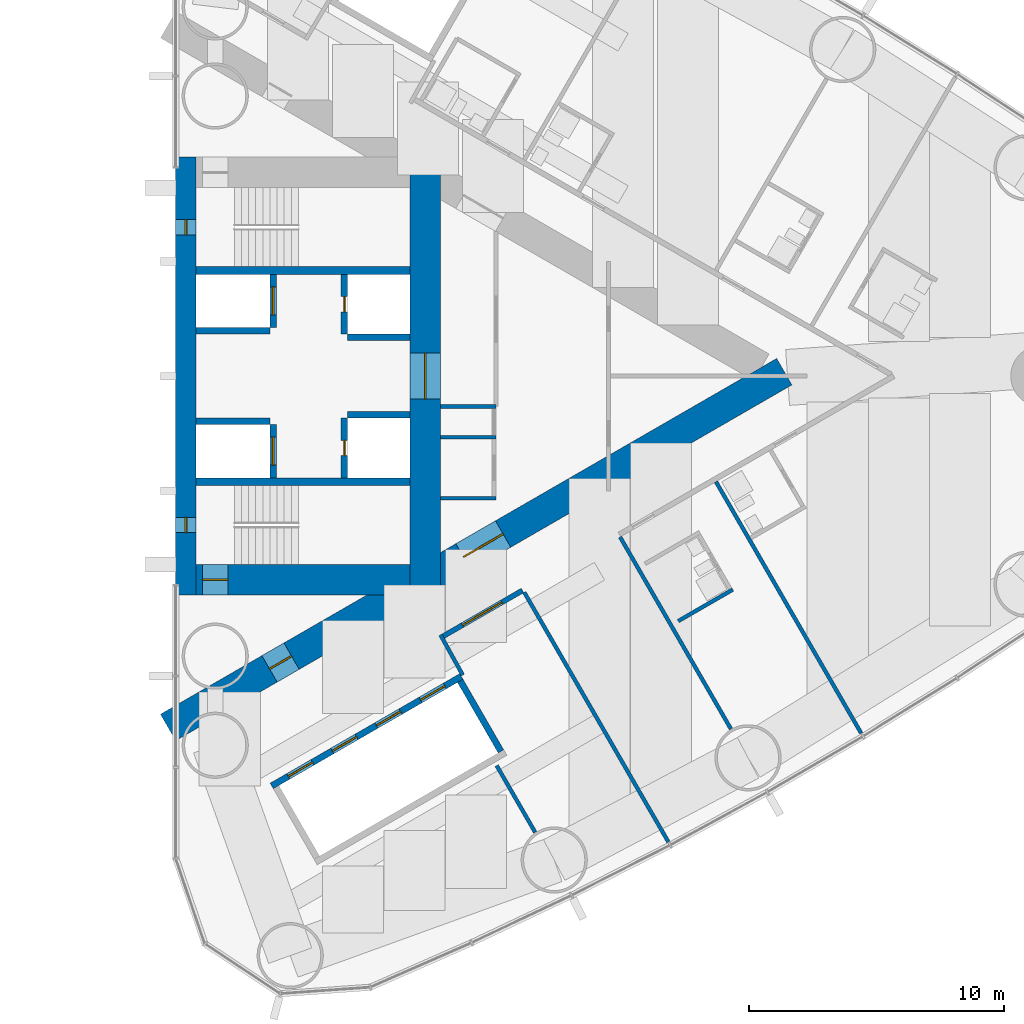
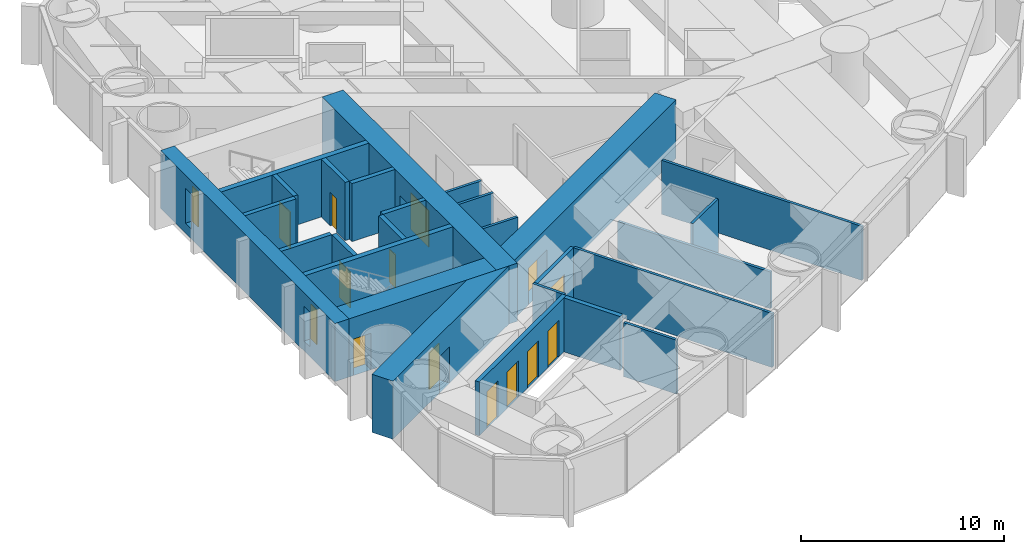
# One storey, part 14 of 19: 26 walls, 13 doors, 2 windows, 15 openings.
"""IFC4 building model written with IfcOpenShell, lengths in metres."""

from ifc_helpers import new_model, si_unit, direction, frame, frame_2d, origin, place, context, subcontext, project, spatial, rectangle, extrude, material, layer, layer_set, type_object, element, fill, save


model = new_model("IFC4")

# Units and contexts
model_context = context("Model", 3, precision=1e-05, world=origin(), true_north=direction((0.0, 1.0)))
body_context = subcontext(model_context, "Body", "Model", "MODEL_VIEW")
ifc_project = project(units=[si_unit("LENGTHUNIT", "METRE"), si_unit("AREAUNIT", "SQUARE_METRE"), si_unit("VOLUMEUNIT", "CUBIC_METRE"), si_unit("PLANEANGLEUNIT", "RADIAN"), si_unit("MASSUNIT", "GRAM", prefix="KILO")], contexts=[model_context])

# Site, building, storey
site_placement = place(None, origin())
site = spatial("IfcSite", under=ifc_project, at=site_placement, CompositionType="ELEMENT")
building_placement = place(site_placement, origin())
building = spatial("IfcBuilding", under=site, at=building_placement, Name="Lancet Gate Hotel", CompositionType="ELEMENT")
storey_placement = place(building_placement, frame((0.0, 0.0, 122.10009765625)))
storey = spatial("IfcBuildingStorey", under=building, at=storey_placement, Name="L32", CompositionType="ELEMENT", Elevation=122.10009765625)

# Wall
ifc_material_1 = material(Name="Moisture resistant board partition")
ifc_layer_1 = layer(ifc_material_1, 0.14990234375)
ifc_layer_set_1 = layer_set([ifc_layer_1], Name="Bathroom wall 150")
wall_type_1 = type_object("IfcWallType", Name="Bathroom wall 150", PredefinedType="PARTITIONING", material=ifc_layer_set_1)
wall_1_placement = place(storey_placement, frame((47.235107421875, -9.622802734375, 0.0), z_axis=(0.0, 0.0, 1.0), x_axis=(0.866006523861, 0.500032699561, 0.0)))
element("IfcWall", 1, at=wall_1_placement, inside=storey, type_object=wall_type_1, Name="T2 bathroom wall 150 L32", PredefinedType="PARTITIONING", context=body_context, shape_type="SweptSolid", body=[
    extrude(rectangle(XDim=2.474853515625, YDim=0.14990234375, at=frame_2d((1.2373046875, 0.0))), origin(), (0.0, 0.0, 1.0), 3.25),
])

# Wall, openings, doors
ifc_material_2 = material(Name="Concrete C70/85", Category="concrete")
ifc_layer_2 = layer(ifc_material_2, 1.199951171875)
ifc_layer_set_2 = layer_set([ifc_layer_2], Name="Buttress wall 1200")
wall_type_2 = type_object("IfcWallType", Name="Buttress wall 1200", PredefinedType="SHEAR", material=ifc_layer_set_2)
wall_2_placement = place(storey_placement, frame((27.199951171875, -13.800048828125, 0.0), z_axis=(0.0, 0.0, 1.0), x_axis=(0.866027159892, 0.499996958321, 0.0)))
wall_2 = element("IfcWall", 2, at=wall_2_placement, inside=storey, type_object=wall_type_2, Name="T2 buttress wall S L32", PredefinedType="SHEAR", context=body_context, shape_type="SweptSolid", body=[
    extrude(rectangle(XDim=27.946533203125, YDim=1.199951171875, at=frame_2d((13.97314453125, 0.0))), origin(), (0.0, 0.0, 1.0), 3.5),
])
opening_1_placement = place(wall_2_placement, frame((4.60009765625, 0.0, 0.0)))
opening_1 = element("IfcOpeningElement", 3, at=opening_1_placement, cuts=wall_2, Name="Opening T2-L32-LS", PredefinedType="OPENING", context=body_context, shape_type="SweptSolid", body=[
    extrude(rectangle(XDim=1.0, YDim=2.199951171875, at=frame_2d((0.5, 1.10009765625))), frame((0.0, 0.60986328125, 0.0), z_axis=(0.0, -1.0, 0.0), x_axis=(1.0, 0.0, 0.0)), (0.0, 0.0, 1.0), 1.219970703125),
])
opening_2_placement = place(wall_2_placement, frame((13.39453125, 0.0, 0.0)))
opening_2 = element("IfcOpeningElement", 4, at=opening_2_placement, cuts=wall_2, Name="Opening T2-L32-LHS", PredefinedType="OPENING", context=body_context, shape_type="SweptSolid", body=[
    extrude(rectangle(XDim=1.800048828125, YDim=2.199951171875, at=frame_2d((0.89990234375, 1.10009765625))), frame((0.0, 0.60986328125, 0.0), z_axis=(0.0, -1.0, 0.0), x_axis=(1.0, 0.0, 0.0)), (0.0, 0.0, 1.0), 1.219970703125),
])
ifc_material_3 = material(Name="Timber door set", Category="wood")
door_type_1 = type_object("IfcDoorType", Name="Lobby double door 1800", OperationType="DOUBLE_DOOR_SINGLE_SWING", PredefinedType="DOOR", material=ifc_material_3)
door_1_placement = place(opening_2_placement, origin())
door_1 = element("IfcDoor", 5, at=door_1_placement, inside=storey, type_object=door_type_1, Name="T2-L32-LHS", OperationType="DOUBLE_DOOR_SINGLE_SWING", OverallHeight=2.199951171875, OverallWidth=1.800048828125, PredefinedType="DOOR", context=body_context, shape_type="SweptSolid", body=[
    extrude(rectangle(XDim=1.800048828125, YDim=2.199951171875, at=frame_2d((0.89990234375, 1.10009765625))), frame((0.0, 0.02490234375, 0.0), z_axis=(0.0, -1.0, 0.0), x_axis=(1.0, 0.0, 0.0)), (0.0, 0.0, 1.0), 0.050048828125),
])
fill(opening_2, door_1)
ifc_material_4 = material(Name="Timber door set", Category="wood")
door_type_2 = type_object("IfcDoorType", Name="Stair lobby door 1000", OperationType="SINGLE_SWING_LEFT", PredefinedType="DOOR", material=ifc_material_4)
door_2_placement = place(opening_1_placement, origin())
door_2 = element("IfcDoor", 6, at=door_2_placement, inside=storey, type_object=door_type_2, Name="T2-L32-LS", OperationType="SINGLE_SWING_LEFT", OverallHeight=2.199951171875, OverallWidth=1.0, PredefinedType="DOOR", context=body_context, shape_type="SweptSolid", body=[
    extrude(rectangle(XDim=1.0, YDim=2.199951171875, at=frame_2d((0.5, 1.10009765625))), frame((0.0, 0.02490234375, 0.0), z_axis=(0.0, -1.0, 0.0), x_axis=(1.0, 0.0, 0.0)), (0.0, 0.0, 1.0), 0.050048828125),
])
fill(opening_1, door_2)

# Wall, opening, door
ifc_material_5 = material(Name="Concrete C70/85", Category="concrete")
ifc_layer_3 = layer(ifc_material_5, 1.199951171875)
ifc_layer_set_3 = layer_set([ifc_layer_3], Name="Core wall 1200")
wall_type_3 = type_object("IfcWallType", Name="Core wall 1200", PredefinedType="SHEAR", material=ifc_layer_set_3)
wall_3_placement = place(storey_placement, frame((37.300048828125, -8.60009765625, 0.0), z_axis=(0.0, 0.0, 1.0), x_axis=(0.0, 1.0, 0.0)))
wall_3 = element("IfcWall", 7, at=wall_3_placement, inside=storey, type_object=wall_type_3, Name="T2 core wall back L32", PredefinedType="SHEAR", context=body_context, shape_type="SweptSolid", body=[
    extrude(rectangle(XDim=17.2001953125, YDim=1.199951171875, at=frame_2d((8.60009765625, 0.0))), origin(), (0.0, 0.0, 1.0), 3.5),
])
opening_3_placement = place(wall_3_placement, frame((7.699951171875, 0.0, 0.0)))
opening_3 = element("IfcOpeningElement", 8, at=opening_3_placement, cuts=wall_3, Name="Opening T2-L32-LL", PredefinedType="OPENING", context=body_context, shape_type="SweptSolid", body=[
    extrude(rectangle(XDim=1.800048828125, YDim=2.199951171875, at=frame_2d((0.89990234375, 1.10009765625))), frame((0.0, 0.60986328125, 0.0), z_axis=(0.0, -1.0, 0.0), x_axis=(1.0, 0.0, 0.0)), (0.0, 0.0, 1.0), 1.219970703125),
])
door_3_placement = place(opening_3_placement, origin())
door_3 = element("IfcDoor", 9, at=door_3_placement, inside=storey, type_object=door_type_1, Name="T2-L32-LL", OperationType="DOUBLE_DOOR_SINGLE_SWING", OverallHeight=2.199951171875, OverallWidth=1.800048828125, PredefinedType="DOOR", context=body_context, shape_type="SweptSolid", body=[
    extrude(rectangle(XDim=1.800048828125, YDim=2.199951171875, at=frame_2d((0.89990234375, 1.10009765625))), frame((0.0, 0.02490234375, 0.0), z_axis=(0.0, -1.0, 0.0), x_axis=(1.0, 0.0, 0.0)), (0.0, 0.0, 1.0), 0.050048828125),
])
fill(opening_3, door_3)

wall_4_placement = place(storey_placement, frame((28.300048828125, -8.0, 0.0), z_axis=(0.0, 0.0, 1.0), x_axis=(1.0, 0.0, 0.0)))
wall_4 = element("IfcWall", 10, at=wall_4_placement, inside=storey, type_object=wall_type_3, Name="T2 core wall side-S L32", PredefinedType="SHEAR", context=body_context, shape_type="SweptSolid", body=[
    extrude(rectangle(XDim=8.39990234375, YDim=1.199951171875, at=frame_2d((4.199951171875, 0.0))), origin(), (0.0, 0.0, 1.0), 3.5),
])
opening_4_placement = place(wall_4_placement, frame((0.25, 0.0, 0.0)))
opening_4 = element("IfcOpeningElement", 11, at=opening_4_placement, cuts=wall_4, Name="Opening T2-L32-ST1", PredefinedType="OPENING", context=body_context, shape_type="SweptSolid", body=[
    extrude(rectangle(XDim=1.0, YDim=2.199951171875, at=frame_2d((0.5, 1.10009765625))), frame((0.0, 0.60986328125, 0.0), z_axis=(0.0, -1.0, 0.0), x_axis=(1.0, 0.0, 0.0)), (0.0, 0.0, 1.0), 1.219970703125),
])
ifc_material_6 = material(Name="Timber door set", Category="wood")
door_type_3 = type_object("IfcDoorType", Name="Stair door 1000", OperationType="SINGLE_SWING_RIGHT", PredefinedType="DOOR", material=ifc_material_6)
door_4_placement = place(opening_4_placement, origin())
door_4 = element("IfcDoor", 12, at=door_4_placement, inside=storey, type_object=door_type_3, Name="T2-L32-ST1", OperationType="SINGLE_SWING_RIGHT", OverallHeight=2.199951171875, OverallWidth=1.0, PredefinedType="DOOR", context=body_context, shape_type="SweptSolid", body=[
    extrude(rectangle(XDim=1.0, YDim=2.199951171875, at=frame_2d((0.5, 1.10009765625))), frame((0.0, 0.02490234375, 0.0), z_axis=(0.0, -1.0, 0.0), x_axis=(1.0, 0.0, 0.0)), (0.0, 0.0, 1.0), 0.050048828125),
])
fill(opening_4, door_4)

# Wall, openings, windows
ifc_material_7 = material(Name="Concrete C70/85", Category="concrete")
ifc_layer_4 = layer(ifc_material_7, 0.800048828125)
ifc_layer_set_4 = layer_set([ifc_layer_4], Name="Core wall 800")
wall_type_4 = type_object("IfcWallType", Name="Core wall 800", PredefinedType="SHEAR", material=ifc_layer_set_4)
wall_5_placement = place(storey_placement, frame((27.89990234375, -8.60009765625, 0.0), z_axis=(0.0, 0.0, 1.0), x_axis=(0.0, 1.0, 0.0)))
wall_5 = element("IfcWall", 13, at=wall_5_placement, inside=storey, type_object=wall_type_4, Name="T2 core wall front L32", PredefinedType="SHEAR", context=body_context, shape_type="SweptSolid", body=[
    extrude(rectangle(XDim=17.2001953125, YDim=0.800048828125, at=frame_2d((8.60009765625, 0.0))), origin(), (0.0, 0.0, 1.0), 3.5),
])
opening_5_placement = place(wall_5_placement, frame((2.449951171875, 0.0, 0.60009765625)))
opening_5 = element("IfcOpeningElement", 14, at=opening_5_placement, cuts=wall_5, Name="Opening LW1", PredefinedType="OPENING", context=body_context, shape_type="SweptSolid", body=[
    extrude(rectangle(XDim=0.60009765625, YDim=2.10009765625, at=frame_2d((0.300048828125, 1.050048828125))), frame((0.0, 0.409912109375, 0.0), z_axis=(0.0, -1.0, 0.0), x_axis=(1.0, 0.0, 0.0)), (0.0, 0.0, 1.0), 0.820068359375),
])
opening_6_placement = place(wall_5_placement, frame((14.14990234375, 0.0, 0.60009765625)))
opening_6 = element("IfcOpeningElement", 15, at=opening_6_placement, cuts=wall_5, Name="Opening LW1", PredefinedType="OPENING", context=body_context, shape_type="SweptSolid", body=[
    extrude(rectangle(XDim=0.60009765625, YDim=2.10009765625, at=frame_2d((0.300048828125, 1.050048828125))), frame((0.0, 0.409912109375, 0.0), z_axis=(0.0, -1.0, 0.0), x_axis=(1.0, 0.0, 0.0)), (0.0, 0.0, 1.0), 0.820068359375),
])
ifc_material_8 = material(Name="Fire-resisting glazed steel window", Category="steel")
window_type = type_object("IfcWindowType", Name="Lancet window 600x2100", PartitioningType="SINGLE_PANEL", PredefinedType="WINDOW", material=ifc_material_8)
window_1_placement = place(opening_5_placement, origin())
window_1 = element("IfcWindow", 16, at=window_1_placement, inside=storey, type_object=window_type, Name="T2 stair window S L32", OverallHeight=2.10009765625, OverallWidth=0.60009765625, PartitioningType="SINGLE_PANEL", PredefinedType="WINDOW", context=body_context, shape_type="SweptSolid", body=[
    extrude(rectangle(XDim=0.60009765625, YDim=2.10009765625, at=frame_2d((0.300048828125, 1.050048828125))), frame((0.0, 0.030029296875, 0.0), z_axis=(0.0, -1.0, 0.0), x_axis=(1.0, 0.0, 0.0)), (0.0, 0.0, 1.0), 0.06005859375),
])
fill(opening_5, window_1)
window_2_placement = place(opening_6_placement, origin())
window_2 = element("IfcWindow", 17, at=window_2_placement, inside=storey, type_object=window_type, Name="T2 stair window N L32", OverallHeight=2.10009765625, OverallWidth=0.60009765625, PartitioningType="SINGLE_PANEL", PredefinedType="WINDOW", context=body_context, shape_type="SweptSolid", body=[
    extrude(rectangle(XDim=0.60009765625, YDim=2.10009765625, at=frame_2d((0.300048828125, 1.050048828125))), frame((0.0, 0.030029296875, 0.0), z_axis=(0.0, -1.0, 0.0), x_axis=(1.0, 0.0, 0.0)), (0.0, 0.0, 1.0), 0.06005859375),
])
fill(opening_6, window_2)

# Wall, opening, door
ifc_material_9 = material(Name="Gypsum board partition")
ifc_layer_5 = layer(ifc_material_9, 0.199951171875)
ifc_layer_set_5 = layer_set([ifc_layer_5], Name="Corridor wall 200")
wall_type_5 = type_object("IfcWallType", Name="Corridor wall 200", PredefinedType="PARTITIONING", material=ifc_layer_set_5)
wall_6_placement = place(storey_placement, frame((37.9599609375, -10.243408203125, 0.0), z_axis=(0.0, 0.0, 1.0), x_axis=(0.866042886279, 0.499969718208, 0.0)))
wall_6 = element("IfcWall", 18, at=wall_6_placement, inside=storey, type_object=wall_type_5, Name="T2 corridor wall 200 L32", PredefinedType="PARTITIONING", context=body_context, shape_type="SweptSolid", body=[
    extrude(rectangle(XDim=3.646728515625, YDim=0.199951171875, at=frame_2d((1.8232421875, 0.0))), origin(), (0.0, 0.0, 1.0), 3.25),
])
opening_7_placement = place(wall_6_placement, frame((0.92333984375, 0.0, 0.0)))
opening_7 = element("IfcOpeningElement", 19, at=opening_7_placement, cuts=wall_6, Name="Opening T2-L32-LO2", PredefinedType="OPENING", context=body_context, shape_type="SweptSolid", body=[
    extrude(rectangle(XDim=1.800048828125, YDim=2.199951171875, at=frame_2d((0.89990234375, 1.10009765625))), frame((0.0, 0.10986328125, 0.0), z_axis=(0.0, -1.0, 0.0), x_axis=(1.0, 0.0, 0.0)), (0.0, 0.0, 1.0), 0.219970703125),
])
ifc_material_10 = material(Name="Timber door set", Category="wood")
door_type_4 = type_object("IfcDoorType", Name="Double door 1800", OperationType="DOUBLE_DOOR_SINGLE_SWING", PredefinedType="DOOR", material=ifc_material_10)
door_5_placement = place(opening_7_placement, origin())
door_5 = element("IfcDoor", 20, at=door_5_placement, inside=storey, type_object=door_type_4, Name="T2-L32-LO2", OperationType="DOUBLE_DOOR_SINGLE_SWING", OverallHeight=2.199951171875, OverallWidth=1.800048828125, PredefinedType="DOOR", context=body_context, shape_type="SweptSolid", body=[
    extrude(rectangle(XDim=1.800048828125, YDim=2.199951171875, at=frame_2d((0.89990234375, 1.10009765625))), frame((0.0, 0.02490234375, 0.0), z_axis=(0.0, -1.0, 0.0), x_axis=(1.0, 0.0, 0.0)), (0.0, 0.0, 1.0), 0.050048828125),
])
fill(opening_7, door_5)

# Wall, openings, doors
ifc_material_11 = material(Name="Gypsum board partition")
ifc_layer_6 = layer(ifc_material_11, 0.25)
ifc_layer_set_6 = layer_set([ifc_layer_6], Name="Lift shaft partition 250")
wall_type_6 = type_object("IfcWallType", Name="Lift shaft partition 250", PredefinedType="PARTITIONING", material=ifc_layer_set_6)
wall_7_placement = place(storey_placement, frame((31.2705078125, -16.09716796875, 0.0), z_axis=(0.0, 0.0, 1.0), x_axis=(0.86604045752, 0.499973925258, 0.0)))
wall_7 = element("IfcWall", 21, at=wall_7_placement, inside=storey, type_object=wall_type_6, Name="T2 lift shaft wall LR L32", PredefinedType="PARTITIONING", context=body_context, shape_type="SweptSolid", body=[
    extrude(rectangle(XDim=8.60009765625, YDim=0.25, at=frame_2d((4.300048828125, 0.0))), origin(), (0.0, 0.0, 1.0), 3.25),
])
opening_8_placement = place(wall_7_placement, frame((0.75, 0.0, 0.0)))
opening_8 = element("IfcOpeningElement", 22, at=opening_8_placement, cuts=wall_7, Name="Opening T2-LR1-L32", PredefinedType="OPENING", context=body_context, shape_type="SweptSolid", body=[
    extrude(rectangle(XDim=1.10009765625, YDim=2.199951171875, at=frame_2d((0.550048828125, 1.10009765625))), frame((0.0, 0.135009765625, 0.0), z_axis=(0.0, -1.0, 0.0), x_axis=(1.0, 0.0, 0.0)), (0.0, 0.0, 1.0), 0.27001953125),
])
opening_9_placement = place(wall_7_placement, frame((2.75, 0.0, 0.0)))
opening_9 = element("IfcOpeningElement", 23, at=opening_9_placement, cuts=wall_7, Name="Opening T2-LR2-L32", PredefinedType="OPENING", context=body_context, shape_type="SweptSolid", body=[
    extrude(rectangle(XDim=1.10009765625, YDim=2.199951171875, at=frame_2d((0.550048828125, 1.10009765625))), frame((0.0, 0.135009765625, 0.0), z_axis=(0.0, -1.0, 0.0), x_axis=(1.0, 0.0, 0.0)), (0.0, 0.0, 1.0), 0.27001953125),
])
opening_10_placement = place(wall_7_placement, frame((4.75, 0.0, 0.0)))
opening_10 = element("IfcOpeningElement", 24, at=opening_10_placement, cuts=wall_7, Name="Opening T2-LR3-L32", PredefinedType="OPENING", context=body_context, shape_type="SweptSolid", body=[
    extrude(rectangle(XDim=1.10009765625, YDim=2.199951171875, at=frame_2d((0.550048828125, 1.10009765625))), frame((0.0, 0.135009765625, 0.0), z_axis=(0.0, -1.0, 0.0), x_axis=(1.0, 0.0, 0.0)), (0.0, 0.0, 1.0), 0.27001953125),
])
opening_11_placement = place(wall_7_placement, frame((6.75, 0.0, 0.0)))
opening_11 = element("IfcOpeningElement", 25, at=opening_11_placement, cuts=wall_7, Name="Opening T2-LR4-L32", PredefinedType="OPENING", context=body_context, shape_type="SweptSolid", body=[
    extrude(rectangle(XDim=1.10009765625, YDim=2.199951171875, at=frame_2d((0.550048828125, 1.10009765625))), frame((0.0, 0.135009765625, 0.0), z_axis=(0.0, -1.0, 0.0), x_axis=(1.0, 0.0, 0.0)), (0.0, 0.0, 1.0), 0.27001953125),
])
ifc_material_12 = material(Name="Steel door set", Category="steel")
door_type_5 = type_object("IfcDoorType", Name="Lift landing door 1100", OperationType="DOUBLE_DOOR_SLIDING", PredefinedType="USERDEFINED", material=ifc_material_12)
door_6_placement = place(opening_8_placement, origin())
door_6 = element("IfcDoor", 26, at=door_6_placement, inside=storey, type_object=door_type_5, Name="T2-LR1-L32", ObjectType="LIFT LANDING DOOR", OperationType="DOUBLE_DOOR_SLIDING", OverallHeight=2.199951171875, OverallWidth=1.10009765625, PredefinedType="USERDEFINED", context=body_context, shape_type="SweptSolid", body=[
    extrude(rectangle(XDim=1.10009765625, YDim=2.199951171875, at=frame_2d((0.550048828125, 1.10009765625))), frame((0.0, 0.02490234375, 0.0), z_axis=(0.0, -1.0, 0.0), x_axis=(1.0, 0.0, 0.0)), (0.0, 0.0, 1.0), 0.050048828125),
])
fill(opening_8, door_6)
door_7_placement = place(opening_9_placement, origin())
door_7 = element("IfcDoor", 27, at=door_7_placement, inside=storey, type_object=door_type_5, Name="T2-LR2-L32", ObjectType="LIFT LANDING DOOR", OperationType="DOUBLE_DOOR_SLIDING", OverallHeight=2.199951171875, OverallWidth=1.10009765625, PredefinedType="USERDEFINED", context=body_context, shape_type="SweptSolid", body=[
    extrude(rectangle(XDim=1.10009765625, YDim=2.199951171875, at=frame_2d((0.550048828125, 1.10009765625))), frame((0.0, 0.02490234375, 0.0), z_axis=(0.0, -1.0, 0.0), x_axis=(1.0, 0.0, 0.0)), (0.0, 0.0, 1.0), 0.050048828125),
])
fill(opening_9, door_7)
door_8_placement = place(opening_10_placement, origin())
door_8 = element("IfcDoor", 28, at=door_8_placement, inside=storey, type_object=door_type_5, Name="T2-LR3-L32", ObjectType="LIFT LANDING DOOR", OperationType="DOUBLE_DOOR_SLIDING", OverallHeight=2.199951171875, OverallWidth=1.10009765625, PredefinedType="USERDEFINED", context=body_context, shape_type="SweptSolid", body=[
    extrude(rectangle(XDim=1.10009765625, YDim=2.199951171875, at=frame_2d((0.550048828125, 1.10009765625))), frame((0.0, 0.02490234375, 0.0), z_axis=(0.0, -1.0, 0.0), x_axis=(1.0, 0.0, 0.0)), (0.0, 0.0, 1.0), 0.050048828125),
])
fill(opening_10, door_8)
door_9_placement = place(opening_11_placement, origin())
door_9 = element("IfcDoor", 29, at=door_9_placement, inside=storey, type_object=door_type_5, Name="T2-LR4-L32", ObjectType="LIFT LANDING DOOR", OperationType="DOUBLE_DOOR_SLIDING", OverallHeight=2.199951171875, OverallWidth=1.10009765625, PredefinedType="USERDEFINED", context=body_context, shape_type="SweptSolid", body=[
    extrude(rectangle(XDim=1.10009765625, YDim=2.199951171875, at=frame_2d((0.550048828125, 1.10009765625))), frame((0.0, 0.02490234375, 0.0), z_axis=(0.0, -1.0, 0.0), x_axis=(1.0, 0.0, 0.0)), (0.0, 0.0, 1.0), 0.050048828125),
])
fill(opening_11, door_9)

# Wall
wall_8_placement = place(storey_placement, frame((38.672607421875, -11.968017578125, 0.0), z_axis=(0.0, 0.0, 1.0), x_axis=(0.499929347863, -0.866066190972, 0.0)))
element("IfcWall", 30, at=wall_8_placement, inside=storey, type_object=wall_type_6, Name="T2 lift shaft wall LR L32", PredefinedType="PARTITIONING", context=body_context, shape_type="SweptSolid", body=[
    extrude(rectangle(XDim=3.20068359375, YDim=0.25, at=frame_2d((1.600341796875, 0.0))), origin(), (0.0, 0.0, 1.0), 3.25),
])

# Wall, opening, door
ifc_material_13 = material(Name="Concrete C50/60", Category="concrete")
ifc_layer_7 = layer(ifc_material_13, 0.25)
ifc_layer_set_7 = layer_set([ifc_layer_7], Name="Lift shaft wall 250")
wall_type_7 = type_object("IfcWallType", Name="Lift shaft wall 250", PredefinedType="SHEAR", material=ifc_layer_set_7)
wall_9_placement = place(storey_placement, frame((31.324951171875, -4.0, 0.0), z_axis=(0.0, 0.0, 1.0), x_axis=(0.0, 1.0, 0.0)))
wall_9 = element("IfcWall", 31, at=wall_9_placement, inside=storey, type_object=wall_type_7, Name="T2 core wall row1-S L32", PredefinedType="SHEAR", context=body_context, shape_type="SweptSolid", body=[
    extrude(rectangle(XDim=2.10009765625, YDim=0.25, at=frame_2d((1.050048828125, 0.0))), origin(), (0.0, 0.0, 1.0), 3.5),
])
opening_12_placement = place(wall_9_placement, frame((0.5, 0.0, 0.0)))
opening_12 = element("IfcOpeningElement", 32, at=opening_12_placement, cuts=wall_9, Name="Opening T2-SL1-L32", PredefinedType="OPENING", context=body_context, shape_type="SweptSolid", body=[
    extrude(rectangle(XDim=1.10009765625, YDim=2.199951171875, at=frame_2d((0.550048828125, 1.10009765625))), frame((0.0, 0.135009765625, 0.0), z_axis=(0.0, -1.0, 0.0), x_axis=(1.0, 0.0, 0.0)), (0.0, 0.0, 1.0), 0.27001953125),
])
ifc_material_14 = material(Name="Timber door set", Category="wood")
door_type_6 = type_object("IfcDoorType", Name="Service lift landing door 1100", OperationType="SLIDING_TO_LEFT", PredefinedType="USERDEFINED", material=ifc_material_14)
door_10_placement = place(opening_12_placement, origin())
door_10 = element("IfcDoor", 33, at=door_10_placement, inside=storey, type_object=door_type_6, Name="T2-SL1-L32", ObjectType="LIFT LANDING DOOR", OperationType="SLIDING_TO_LEFT", OverallHeight=2.199951171875, OverallWidth=1.10009765625, PredefinedType="USERDEFINED", context=body_context, shape_type="SweptSolid", body=[
    extrude(rectangle(XDim=1.10009765625, YDim=2.199951171875, at=frame_2d((0.550048828125, 1.10009765625))), frame((0.0, 0.02490234375, 0.0), z_axis=(0.0, -1.0, 0.0), x_axis=(1.0, 0.0, 0.0)), (0.0, 0.0, 1.0), 0.050048828125),
])
fill(opening_12, door_10)

wall_10_placement = place(storey_placement, frame((34.125, -4.0, 0.0), z_axis=(0.0, 0.0, 1.0), x_axis=(0.0, 1.0, 0.0)))
wall_10 = element("IfcWall", 34, at=wall_10_placement, inside=storey, type_object=wall_type_7, Name="T2 core wall row2-S L32", PredefinedType="SHEAR", context=body_context, shape_type="SweptSolid", body=[
    extrude(rectangle(XDim=2.35009765625, YDim=0.25, at=frame_2d((1.175048828125, 0.0))), origin(), (0.0, 0.0, 1.0), 3.5),
])
opening_13_placement = place(wall_10_placement, frame((0.875, 0.0, 0.0)))
opening_13 = element("IfcOpeningElement", 35, at=opening_13_placement, cuts=wall_10, Name="Opening T2-OL3-L32-E", PredefinedType="OPENING", context=body_context, shape_type="SweptSolid", body=[
    extrude(rectangle(XDim=0.60009765625, YDim=2.0, at=frame_2d((0.300048828125, 1.0))), frame((0.0, 0.135009765625, 0.0), z_axis=(0.0, -1.0, 0.0), x_axis=(1.0, 0.0, 0.0)), (0.0, 0.0, 1.0), 0.27001953125),
])
ifc_material_15 = material(Name="Steel door set", Category="steel")
door_type_7 = type_object("IfcDoorType", Name="Lift shaft emergency door 600x2000", OperationType="SLIDING_TO_LEFT", PredefinedType="DOOR", material=ifc_material_15)
door_11_placement = place(opening_13_placement, origin())
door_11 = element("IfcDoor", 36, at=door_11_placement, inside=storey, type_object=door_type_7, Name="T2-OL3-L32-E", OperationType="SLIDING_TO_LEFT", OverallHeight=2.0, OverallWidth=0.60009765625, PredefinedType="DOOR", context=body_context, shape_type="SweptSolid", body=[
    extrude(rectangle(XDim=0.60009765625, YDim=2.0, at=frame_2d((0.300048828125, 1.0))), frame((0.0, 0.02490234375, 0.0), z_axis=(0.0, -1.0, 0.0), x_axis=(1.0, 0.0, 0.0)), (0.0, 0.0, 1.0), 0.050048828125),
])
fill(opening_13, door_11)

# Walls
wall_11_placement = place(storey_placement, frame((28.300048828125, -1.77490234375, 0.0), z_axis=(0.0, 0.0, 1.0), x_axis=(1.0, 0.0, 0.0)))
element("IfcWall", 37, at=wall_11_placement, inside=storey, type_object=wall_type_7, Name="T2 core wall pass1-S L32", PredefinedType="SHEAR", context=body_context, shape_type="SweptSolid", body=[
    extrude(rectangle(XDim=2.89990234375, YDim=0.25, at=frame_2d((1.449951171875, 0.0))), origin(), (0.0, 0.0, 1.0), 3.5),
])
wall_12_placement = place(storey_placement, frame((34.25, -1.52490234375, 0.0), z_axis=(0.0, 0.0, 1.0), x_axis=(1.0, 0.0, 0.0)))
element("IfcWall", 38, at=wall_12_placement, inside=storey, type_object=wall_type_7, Name="T2 core wall pass2-S L32", PredefinedType="SHEAR", context=body_context, shape_type="SweptSolid", body=[
    extrude(rectangle(XDim=2.449951171875, YDim=0.25, at=frame_2d((1.22509765625, 0.0))), origin(), (0.0, 0.0, 1.0), 3.5),
])

# Wall, opening, door
wall_13_placement = place(storey_placement, frame((31.324951171875, 1.89990234375, 0.0), z_axis=(0.0, 0.0, 1.0), x_axis=(0.0, 1.0, 0.0)))
wall_13 = element("IfcWall", 39, at=wall_13_placement, inside=storey, type_object=wall_type_7, Name="T2 core wall row1-N L32", PredefinedType="SHEAR", context=body_context, shape_type="SweptSolid", body=[
    extrude(rectangle(XDim=2.10009765625, YDim=0.25, at=frame_2d((1.050048828125, 0.0))), origin(), (0.0, 0.0, 1.0), 3.5),
])
opening_14_placement = place(wall_13_placement, frame((0.5, 0.0, 0.0)))
opening_14 = element("IfcOpeningElement", 40, at=opening_14_placement, cuts=wall_13, Name="Opening T2-FL2-L32", PredefinedType="OPENING", context=body_context, shape_type="SweptSolid", body=[
    extrude(rectangle(XDim=1.10009765625, YDim=2.199951171875, at=frame_2d((0.550048828125, 1.10009765625))), frame((0.0, 0.135009765625, 0.0), z_axis=(0.0, -1.0, 0.0), x_axis=(1.0, 0.0, 0.0)), (0.0, 0.0, 1.0), 0.27001953125),
])
ifc_material_16 = material(Name="Steel door set", Category="steel")
door_type_8 = type_object("IfcDoorType", Name="Firefighting lift landing door 1100", OperationType="SLIDING_TO_LEFT", PredefinedType="USERDEFINED", material=ifc_material_16)
door_12_placement = place(opening_14_placement, origin())
door_12 = element("IfcDoor", 41, at=door_12_placement, inside=storey, type_object=door_type_8, Name="T2-FL2-L32", ObjectType="LIFT LANDING DOOR", OperationType="SLIDING_TO_LEFT", OverallHeight=2.199951171875, OverallWidth=1.10009765625, PredefinedType="USERDEFINED", context=body_context, shape_type="SweptSolid", body=[
    extrude(rectangle(XDim=1.10009765625, YDim=2.199951171875, at=frame_2d((0.550048828125, 1.10009765625))), frame((0.0, 0.02490234375, 0.0), z_axis=(0.0, -1.0, 0.0), x_axis=(1.0, 0.0, 0.0)), (0.0, 0.0, 1.0), 0.050048828125),
])
fill(opening_14, door_12)

wall_14_placement = place(storey_placement, frame((34.125, 1.64990234375, 0.0), z_axis=(0.0, 0.0, 1.0), x_axis=(0.0, 1.0, 0.0)))
wall_14 = element("IfcWall", 42, at=wall_14_placement, inside=storey, type_object=wall_type_7, Name="T2 core wall row2-N L32", PredefinedType="SHEAR", context=body_context, shape_type="SweptSolid", body=[
    extrude(rectangle(XDim=2.35009765625, YDim=0.25, at=frame_2d((1.175048828125, 0.0))), origin(), (0.0, 0.0, 1.0), 3.5),
])
opening_15_placement = place(wall_14_placement, frame((0.875, 0.0, 0.0)))
opening_15 = element("IfcOpeningElement", 43, at=opening_15_placement, cuts=wall_14, Name="Opening T2-OL4-L32-E", PredefinedType="OPENING", context=body_context, shape_type="SweptSolid", body=[
    extrude(rectangle(XDim=0.60009765625, YDim=2.0, at=frame_2d((0.300048828125, 1.0))), frame((0.0, 0.135009765625, 0.0), z_axis=(0.0, -1.0, 0.0), x_axis=(1.0, 0.0, 0.0)), (0.0, 0.0, 1.0), 0.27001953125),
])
door_13_placement = place(opening_15_placement, origin())
door_13 = element("IfcDoor", 44, at=door_13_placement, inside=storey, type_object=door_type_7, Name="T2-OL4-L32-E", OperationType="SLIDING_TO_LEFT", OverallHeight=2.0, OverallWidth=0.60009765625, PredefinedType="DOOR", context=body_context, shape_type="SweptSolid", body=[
    extrude(rectangle(XDim=0.60009765625, YDim=2.0, at=frame_2d((0.300048828125, 1.0))), frame((0.0, 0.02490234375, 0.0), z_axis=(0.0, -1.0, 0.0), x_axis=(1.0, 0.0, 0.0)), (0.0, 0.0, 1.0), 0.050048828125),
])
fill(opening_15, door_13)

# Walls
wall_15_placement = place(storey_placement, frame((28.300048828125, 1.77490234375, 0.0), z_axis=(0.0, 0.0, 1.0), x_axis=(1.0, 0.0, 0.0)))
element("IfcWall", 45, at=wall_15_placement, inside=storey, type_object=wall_type_7, Name="T2 core wall pass1-N L32", PredefinedType="SHEAR", context=body_context, shape_type="SweptSolid", body=[
    extrude(rectangle(XDim=2.89990234375, YDim=0.25, at=frame_2d((1.449951171875, 0.0))), origin(), (0.0, 0.0, 1.0), 3.5),
])
wall_16_placement = place(storey_placement, frame((34.25, 1.52490234375, 0.0), z_axis=(0.0, 0.0, 1.0), x_axis=(1.0, 0.0, 0.0)))
element("IfcWall", 46, at=wall_16_placement, inside=storey, type_object=wall_type_7, Name="T2 core wall pass2-N L32", PredefinedType="SHEAR", context=body_context, shape_type="SweptSolid", body=[
    extrude(rectangle(XDim=2.449951171875, YDim=0.25, at=frame_2d((1.22509765625, 0.0))), origin(), (0.0, 0.0, 1.0), 3.5),
])
ifc_material_17 = material(Name="Gypsum board partition")
ifc_layer_8 = layer(ifc_material_17, 0.14990234375)
ifc_layer_set_8 = layer_set([ifc_layer_8], Name="Party wall 150")
wall_type_8 = type_object("IfcWallType", Name="Party wall 150", PredefinedType="PARTITIONING", material=ifc_layer_set_8)
wall_17_placement = place(storey_placement, frame((41.18994140625, -8.494140625, 0.0), z_axis=(0.0, 0.0, 1.0), x_axis=(0.49999258054, -0.866029687369, 0.0)))
element("IfcWall", 47, at=wall_17_placement, inside=storey, type_object=wall_type_8, Name="T2 party wall 150 L32", PredefinedType="PARTITIONING", context=body_context, shape_type="SweptSolid", body=[
    extrude(rectangle(XDim=11.318115234375, YDim=0.14990234375, at=frame_2d((5.6591796875, 0.0))), origin(), (0.0, 0.0, 1.0), 3.25),
])
wall_18_placement = place(storey_placement, frame((44.95361328125, -6.3212890625, 0.0), z_axis=(0.0, 0.0, 1.0), x_axis=(0.500018676722, -0.866014620505, 0.0)))
element("IfcWall", 48, at=wall_18_placement, inside=storey, type_object=wall_type_8, Name="T2 party wall 150 L32", PredefinedType="PARTITIONING", context=body_context, shape_type="SweptSolid", body=[
    extrude(rectangle(XDim=8.703857421875, YDim=0.14990234375, at=frame_2d((4.35205078125, 0.0))), origin(), (0.0, 0.0, 1.0), 2.199951171875),
])
wall_19_placement = place(storey_placement, frame((48.718505859375, -4.1474609375, 0.0), z_axis=(0.0, 0.0, 1.0), x_axis=(0.499990498062, -0.866030889661, 0.0)))
element("IfcWall", 49, at=wall_19_placement, inside=storey, type_object=wall_type_8, Name="T2 party wall 150 L32", PredefinedType="PARTITIONING", context=body_context, shape_type="SweptSolid", body=[
    extrude(rectangle(XDim=11.406005859375, YDim=0.14990234375, at=frame_2d((5.703125, 0.0))), origin(), (0.0, 0.0, 1.0), 3.25),
])
wall_20_placement = place(storey_placement, frame((40.10546875, -15.298583984375, 0.0), z_axis=(0.0, 0.0, 1.0), x_axis=(0.499978822259, -0.866037630414, 0.0)))
element("IfcWall", 50, at=wall_20_placement, inside=storey, type_object=wall_type_8, Name="T2 party wall 150 L32", PredefinedType="PARTITIONING", context=body_context, shape_type="SweptSolid", body=[
    extrude(rectangle(XDim=3.022705078125, YDim=0.14990234375, at=frame_2d((1.51123046875, 0.0))), origin(), (0.0, 0.0, 1.0), 3.25),
])
ifc_material_18 = material(Name="Gypsum board partition")
ifc_layer_9 = layer(ifc_material_18, 0.14990234375)
ifc_layer_set_9 = layer_set([ifc_layer_9], Name="Service room wall 150")
wall_type_9 = type_object("IfcWallType", Name="Service room wall 150", PredefinedType="PARTITIONING", material=ifc_layer_set_9)
wall_21_placement = place(storey_placement, frame((38.7734375, -11.742431640625, 0.0), z_axis=(0.0, 0.0, 1.0), x_axis=(-0.485528096672, 0.8742210632, 0.0)))
element("IfcWall", 51, at=wall_21_placement, inside=storey, type_object=wall_type_9, Name="T2 service room wall 150 L32", PredefinedType="PARTITIONING", context=body_context, shape_type="SweptSolid", body=[
    extrude(rectangle(XDim=1.80517578125, YDim=0.14990234375, at=frame_2d((0.902587890625, 0.0))), origin(), (0.0, 0.0, 1.0), 3.25),
])
for number, where, z_axis, x_axis, name in (
    (52, (37.89990234375, -1.199951171875, 0.0), (0.0, 0.0, 1.0), (1.0, 0.0, 0.0), "T2 service room wall 150 L32"),
    (53, (37.89990234375, -2.39990234375, 0.0), (0.0, 0.0, 1.0), (1.0, 0.0, 0.0), "T2 service room wall 150 L32"),
    (54, (37.89990234375, -4.800048828125, 0.0), (0.0, 0.0, 1.0), (1.0, 0.0, 0.0), "T2 service room wall 150 L32"),
):
    element("IfcWall", number, at=place(storey_placement, frame(where, z_axis=z_axis, x_axis=x_axis)), inside=storey, type_object=wall_type_9, Name=name, PredefinedType="PARTITIONING", context=body_context, shape_type="SweptSolid", body=[
        extrude(rectangle(XDim=2.175048828125, YDim=0.14990234375, at=frame_2d((1.08740234375, 0.0))), origin(), (0.0, 0.0, 1.0), 3.25),
    ])
ifc_material_19 = material(Name="Concrete C50/60", Category="concrete")
ifc_layer_10 = layer(ifc_material_19, 0.300048828125)
ifc_layer_set_10 = layer_set([ifc_layer_10], Name="Stair enclosure wall 300")
wall_type_10 = type_object("IfcWallType", Name="Stair enclosure wall 300", PredefinedType="SHEAR", material=ifc_layer_set_10)
for number, where, z_axis, x_axis, name in (
    (55, (28.300048828125, -4.14990234375, 0.0), (0.0, 0.0, 1.0), (1.0, 0.0, 0.0), "T2 core wall stair-S L32"),
    (56, (28.300048828125, 4.14990234375, 0.0), (0.0, 0.0, 1.0), (1.0, 0.0, 0.0), "T2 core wall stair-N L32"),
):
    element("IfcWall", number, at=place(storey_placement, frame(where, z_axis=z_axis, x_axis=x_axis)), inside=storey, type_object=wall_type_10, Name=name, PredefinedType="SHEAR", context=body_context, shape_type="SweptSolid", body=[
        extrude(rectangle(XDim=8.39990234375, YDim=0.300048828125, at=frame_2d((4.199951171875, 0.0))), origin(), (0.0, 0.0, 1.0), 3.5),
    ])

save(model, "model.ifc")
